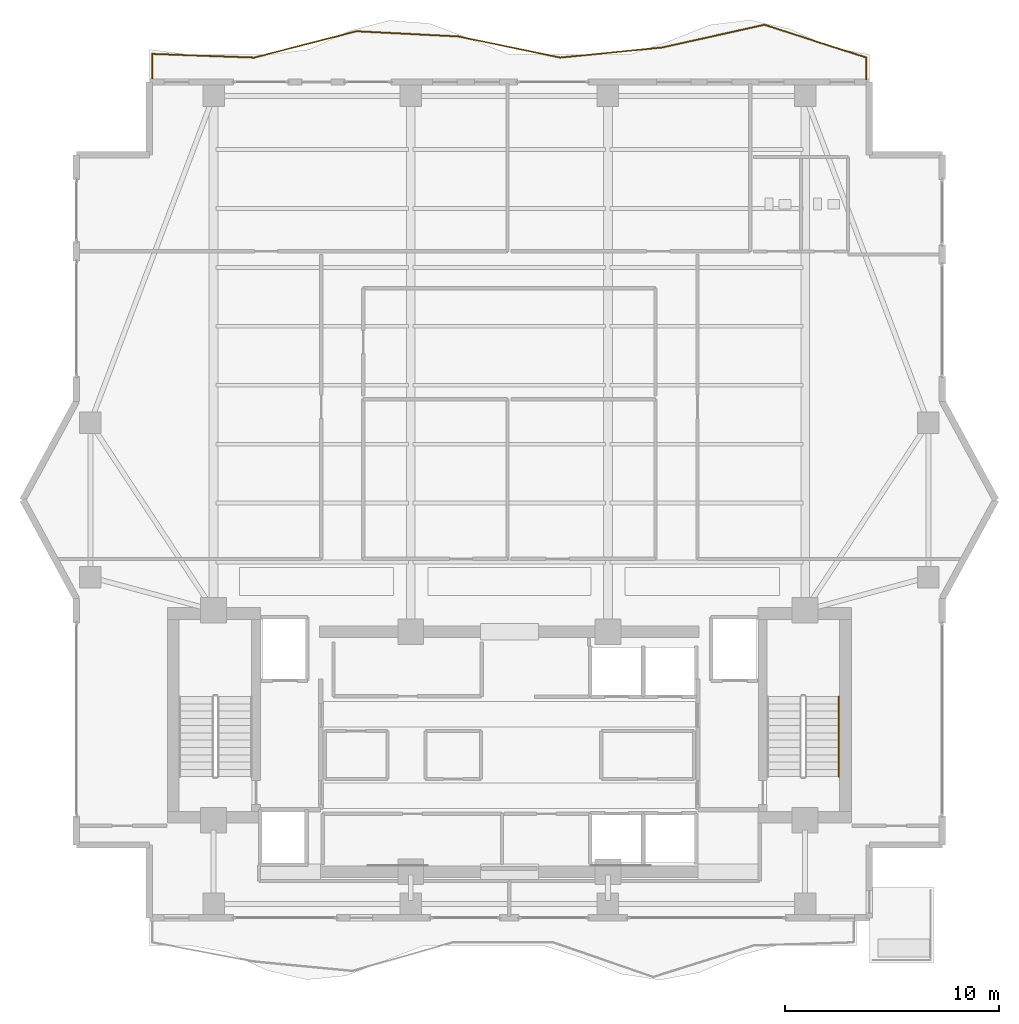
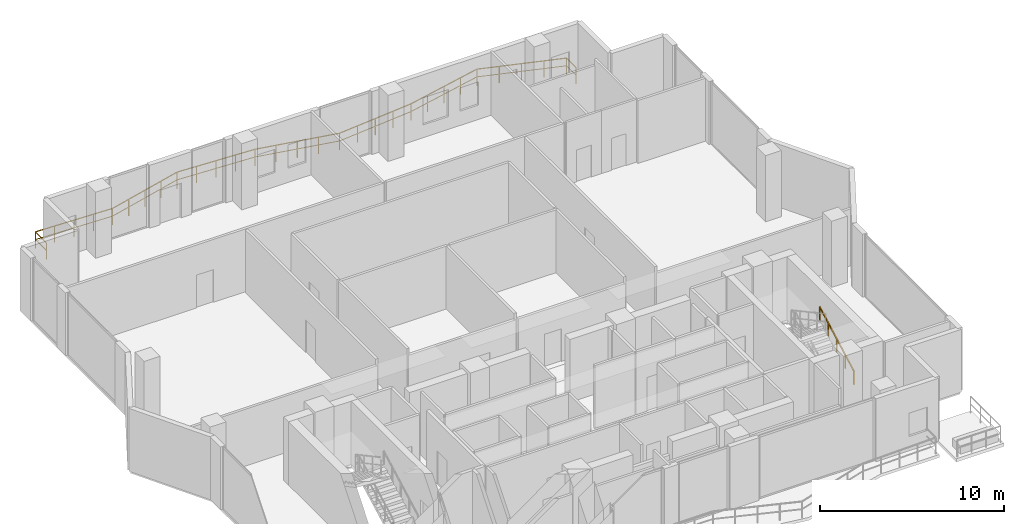
# One storey, part 22 of 23: 2 railings.
"""IFC4 building model written with IfcOpenShell, lengths in metres."""

from ifc_helpers import new_model, si_unit, direction, frame, origin, origin_2d, place, context, subcontext, project, spatial, rectangle, extrude, material, type_object, element, save


model = new_model("IFC4")

# Units and contexts
model_context = context("Model", 3, precision=1e-05, world=origin(), true_north=direction((0.0, 1.0)))
body_context = subcontext(model_context, "Body", "Model", "MODEL_VIEW")
ifc_project = project(units=[si_unit("LENGTHUNIT", "METRE"), si_unit("AREAUNIT", "SQUARE_METRE"), si_unit("VOLUMEUNIT", "CUBIC_METRE"), si_unit("PLANEANGLEUNIT", "RADIAN"), si_unit("MASSUNIT", "GRAM", prefix="KILO")], contexts=[model_context])

# Site, building, storey
site_placement = place(None, origin())
site = spatial("IfcSite", under=ifc_project, at=site_placement, CompositionType="ELEMENT")
building_placement = place(site_placement, origin())
building = spatial("IfcBuilding", under=site, at=building_placement, Name="Zuhayl Quay Hotel", CompositionType="ELEMENT")
storey_placement = place(building_placement, frame((0.0, 0.0, 288.449951171875)))
storey = spatial("IfcBuildingStorey", under=building, at=storey_placement, Name="L73", CompositionType="ELEMENT", Elevation=288.449951171875)

# Railings
ifc_material_1 = material(Name="Anodised Aluminium and Laminated Glass", Category="aluminium")
railing_type_1 = type_object("IfcRailingType", Name="RL_EXT_BAL_1100", PredefinedType="BALUSTRADE", material=ifc_material_1)
railing_1_placement = place(storey_placement, frame((-16.659912109375, 39.1201171875, 0.0)))
element("IfcRailing", 1, at=railing_1_placement, inside=storey, type_object=railing_type_1, Name="L73 Balcony and Terrace Guard GR_L73_BAL_N", PredefinedType="BALUSTRADE", context=body_context, shape_type="SweptSolid", body=[
    extrude(rectangle(XDim=0.048095703125, YDim=0.048095703125, at=origin_2d()), frame((0.0, 0.0, 1.09619140625), z_axis=(0.0, 1.0, 0.0), x_axis=(-1.0, 0.0, 0.0)), (0.0, 0.0, 1.0), 1.191162109375),
    extrude(rectangle(XDim=0.0361328125, YDim=0.0361328125, at=origin_2d()), frame((0.0, 0.0, 0.58251953125), z_axis=(0.0, 1.0, 0.0), x_axis=(-1.0, 0.0, 0.0)), (0.0, 0.0, 1.0), 1.191162109375),
    extrude(rectangle(XDim=0.048095703125, YDim=0.048095703125, at=origin_2d()), frame((0.0, 1.191162109375, 1.09619140625), z_axis=(0.999352430133, -0.035982223211, 0.0), x_axis=(0.035982223211, 0.999352430133, 0.0)), (0.0, 0.0, 1.0), 4.76318359375),
    extrude(rectangle(XDim=0.0361328125, YDim=0.0361328125, at=origin_2d()), frame((0.0, 1.191162109375, 0.58251953125), z_axis=(0.999352430133, -0.035982223211, 0.0), x_axis=(0.035982223211, 0.999352430133, 0.0)), (0.0, 0.0, 1.0), 4.76318359375),
    extrude(rectangle(XDim=0.048095703125, YDim=0.048095703125, at=origin_2d()), frame((4.760009765625, 1.019775390625, 1.09619140625), z_axis=(0.968283137674, 0.249855488826, 0.0), x_axis=(-0.249855488826, 0.968283137674, 0.0)), (0.0, 0.0, 1.0), 4.916015625),
    extrude(rectangle(XDim=0.0361328125, YDim=0.0361328125, at=origin_2d()), frame((4.760009765625, 1.019775390625, 0.58251953125), z_axis=(0.968283137674, 0.249855488826, 0.0), x_axis=(-0.249855488826, 0.968283137674, 0.0)), (0.0, 0.0, 1.0), 4.916015625),
    extrude(rectangle(XDim=0.048095703125, YDim=0.048095703125, at=origin_2d()), frame((9.52001953125, 2.248046875, 1.09619140625), z_axis=(0.998713333504, -0.050711709502, 0.0), x_axis=(0.050711709502, 0.998713333504, 0.0)), (0.0, 0.0, 1.0), 4.76611328125),
    extrude(rectangle(XDim=0.0361328125, YDim=0.0361328125, at=origin_2d()), frame((9.52001953125, 2.248046875, 0.58251953125), z_axis=(0.998713333504, -0.050711709502, 0.0), x_axis=(0.050711709502, 0.998713333504, 0.0)), (0.0, 0.0, 1.0), 4.76611328125),
    extrude(rectangle(XDim=0.048095703125, YDim=0.048095703125, at=origin_2d()), frame((14.280029296875, 2.00634765625, 1.09619140625), z_axis=(0.979187165661, -0.202959342246, 0.0), x_axis=(0.202959342246, 0.979187165661, 0.0)), (0.0, 0.0, 1.0), 4.86083984375),
    extrude(rectangle(XDim=0.0361328125, YDim=0.0361328125, at=origin_2d()), frame((14.280029296875, 2.00634765625, 0.58251953125), z_axis=(0.979187165661, -0.202959342246, 0.0), x_axis=(0.202959342246, 0.979187165661, 0.0)), (0.0, 0.0, 1.0), 4.86083984375),
    extrude(rectangle(XDim=0.048095703125, YDim=0.048095703125, at=origin_2d()), frame((19.039794921875, 1.019775390625, 1.09619140625), z_axis=(0.995131241685, 0.098558671985, 0.0), x_axis=(-0.098558671985, 0.995131241685, 0.0)), (0.0, 0.0, 1.0), 4.783203125),
    extrude(rectangle(XDim=0.0361328125, YDim=0.0361328125, at=origin_2d()), frame((19.039794921875, 1.019775390625, 0.58251953125), z_axis=(0.995131241685, 0.098558671985, 0.0), x_axis=(-0.098558671985, 0.995131241685, 0.0)), (0.0, 0.0, 1.0), 4.783203125),
    extrude(rectangle(XDim=0.048095703125, YDim=0.048095703125, at=origin_2d()), frame((23.7998046875, 1.4912109375, 1.09619140625), z_axis=(0.97610925013, 0.217280306999, 0.0), x_axis=(-0.217280306999, 0.97610925013, 0.0)), (0.0, 0.0, 1.0), 4.87646484375),
    extrude(rectangle(XDim=0.0361328125, YDim=0.0361328125, at=origin_2d()), frame((23.7998046875, 1.4912109375, 0.58251953125), z_axis=(0.97610925013, 0.217280306999, 0.0), x_axis=(-0.217280306999, 0.97610925013, 0.0)), (0.0, 0.0, 1.0), 4.87646484375),
    extrude(rectangle(XDim=0.048095703125, YDim=0.048095703125, at=origin_2d()), frame((28.559814453125, 2.55078125, 1.09619140625), z_axis=(0.951970121484, -0.306190933571, 0.0), x_axis=(0.306190933571, 0.951970121484, 0.0)), (0.0, 0.0, 1.0), 5.000244140625),
    extrude(rectangle(XDim=0.0361328125, YDim=0.0361328125, at=origin_2d()), frame((28.559814453125, 2.55078125, 0.58251953125), z_axis=(0.951970121484, -0.306190933571, 0.0), x_axis=(0.306190933571, 0.951970121484, 0.0)), (0.0, 0.0, 1.0), 5.000244140625),
    extrude(rectangle(XDim=0.048095703125, YDim=0.048095703125, at=origin_2d()), frame((33.31982421875, 1.019775390625, 1.09619140625), z_axis=(0.0, -1.0, 0.0), x_axis=(1.0, 0.0, 0.0)), (0.0, 0.0, 1.0), 1.019775390625),
    extrude(rectangle(XDim=0.0361328125, YDim=0.0361328125, at=origin_2d()), frame((33.31982421875, 1.019775390625, 0.58251953125), z_axis=(0.0, -1.0, 0.0), x_axis=(1.0, 0.0, 0.0)), (0.0, 0.0, 1.0), 1.019775390625),
    extrude(rectangle(XDim=0.0419921875, YDim=0.0419921875, at=origin_2d()), origin(), (0.0, 0.0, 1.0), 1.072021484375),
    extrude(rectangle(XDim=0.0419921875, YDim=0.0419921875, at=origin_2d()), frame((0.0, 1.191162109375, 0.0)), (0.0, 0.0, 1.0), 1.072021484375),
    extrude(rectangle(XDim=0.0419921875, YDim=0.0419921875, at=origin_2d()), frame((1.18994140625, 1.1484375, 0.0)), (0.0, 0.0, 1.0), 1.072021484375),
    extrude(rectangle(XDim=0.0419921875, YDim=0.0419921875, at=origin_2d()), frame((2.3798828125, 1.10546875, 0.0)), (0.0, 0.0, 1.0), 1.072021484375),
    extrude(rectangle(XDim=0.0419921875, YDim=0.0419921875, at=origin_2d()), frame((3.570068359375, 1.0625, 0.0)), (0.0, 0.0, 1.0), 1.072021484375),
    extrude(rectangle(XDim=0.0419921875, YDim=0.0419921875, at=origin_2d()), frame((4.760009765625, 1.019775390625, 0.0)), (0.0, 0.0, 1.0), 1.072021484375),
    extrude(rectangle(XDim=0.0419921875, YDim=0.0419921875, at=origin_2d()), frame((5.949951171875, 1.326904296875, 0.0)), (0.0, 0.0, 1.0), 1.072021484375),
    extrude(rectangle(XDim=0.0419921875, YDim=0.0419921875, at=origin_2d()), frame((7.14013671875, 1.6337890625, 0.0)), (0.0, 0.0, 1.0), 1.072021484375),
    extrude(rectangle(XDim=0.0419921875, YDim=0.0419921875, at=origin_2d()), frame((8.330078125, 1.94091796875, 0.0)), (0.0, 0.0, 1.0), 1.072021484375),
    extrude(rectangle(XDim=0.0419921875, YDim=0.0419921875, at=origin_2d()), frame((9.52001953125, 2.248046875, 0.0)), (0.0, 0.0, 1.0), 1.072021484375),
    extrude(rectangle(XDim=0.0419921875, YDim=0.0419921875, at=origin_2d()), frame((10.7099609375, 2.1875, 0.0)), (0.0, 0.0, 1.0), 1.072021484375),
    extrude(rectangle(XDim=0.0419921875, YDim=0.0419921875, at=origin_2d()), frame((11.89990234375, 2.127197265625, 0.0)), (0.0, 0.0, 1.0), 1.072021484375),
    extrude(rectangle(XDim=0.0419921875, YDim=0.0419921875, at=origin_2d()), frame((13.090087890625, 2.06689453125, 0.0)), (0.0, 0.0, 1.0), 1.072021484375),
    extrude(rectangle(XDim=0.0419921875, YDim=0.0419921875, at=origin_2d()), frame((14.280029296875, 2.00634765625, 0.0)), (0.0, 0.0, 1.0), 1.072021484375),
    extrude(rectangle(XDim=0.0419921875, YDim=0.0419921875, at=origin_2d()), frame((15.469970703125, 1.759765625, 0.0)), (0.0, 0.0, 1.0), 1.072021484375),
    extrude(rectangle(XDim=0.0419921875, YDim=0.0419921875, at=origin_2d()), frame((16.659912109375, 1.51318359375, 0.0)), (0.0, 0.0, 1.0), 1.072021484375),
    extrude(rectangle(XDim=0.0419921875, YDim=0.0419921875, at=origin_2d()), frame((17.849853515625, 1.266357421875, 0.0)), (0.0, 0.0, 1.0), 1.072021484375),
    extrude(rectangle(XDim=0.0419921875, YDim=0.0419921875, at=origin_2d()), frame((19.039794921875, 1.019775390625, 0.0)), (0.0, 0.0, 1.0), 1.072021484375),
    extrude(rectangle(XDim=0.0419921875, YDim=0.0419921875, at=origin_2d()), frame((20.229736328125, 1.1376953125, 0.0)), (0.0, 0.0, 1.0), 1.072021484375),
    extrude(rectangle(XDim=0.0419921875, YDim=0.0419921875, at=origin_2d()), frame((21.419921875, 1.25537109375, 0.0)), (0.0, 0.0, 1.0), 1.072021484375),
    extrude(rectangle(XDim=0.0419921875, YDim=0.0419921875, at=origin_2d()), frame((22.60986328125, 1.373291015625, 0.0)), (0.0, 0.0, 1.0), 1.072021484375),
    extrude(rectangle(XDim=0.0419921875, YDim=0.0419921875, at=origin_2d()), frame((23.7998046875, 1.4912109375, 0.0)), (0.0, 0.0, 1.0), 1.072021484375),
    extrude(rectangle(XDim=0.0419921875, YDim=0.0419921875, at=origin_2d()), frame((24.98974609375, 1.756103515625, 0.0)), (0.0, 0.0, 1.0), 1.072021484375),
    extrude(rectangle(XDim=0.0419921875, YDim=0.0419921875, at=origin_2d()), frame((26.1796875, 2.02099609375, 0.0)), (0.0, 0.0, 1.0), 1.072021484375),
    extrude(rectangle(XDim=0.0419921875, YDim=0.0419921875, at=origin_2d()), frame((27.369873046875, 2.285888671875, 0.0)), (0.0, 0.0, 1.0), 1.072021484375),
    extrude(rectangle(XDim=0.0419921875, YDim=0.0419921875, at=origin_2d()), frame((28.559814453125, 2.55078125, 0.0)), (0.0, 0.0, 1.0), 1.072021484375),
    extrude(rectangle(XDim=0.0419921875, YDim=0.0419921875, at=origin_2d()), frame((29.749755859375, 2.16796875, 0.0)), (0.0, 0.0, 1.0), 1.072021484375),
    extrude(rectangle(XDim=0.0419921875, YDim=0.0419921875, at=origin_2d()), frame((30.93994140625, 1.78515625, 0.0)), (0.0, 0.0, 1.0), 1.072021484375),
    extrude(rectangle(XDim=0.0419921875, YDim=0.0419921875, at=origin_2d()), frame((32.1298828125, 1.402587890625, 0.0)), (0.0, 0.0, 1.0), 1.072021484375),
    extrude(rectangle(XDim=0.0419921875, YDim=0.0419921875, at=origin_2d()), frame((33.31982421875, 1.019775390625, 0.0)), (0.0, 0.0, 1.0), 1.072021484375),
    extrude(rectangle(XDim=0.0419921875, YDim=0.0419921875, at=origin_2d()), frame((33.31982421875, 0.0, 0.0)), (0.0, 0.0, 1.0), 1.072021484375),
])
ifc_material_2 = material(Name="Steel ASTM A992 Grade 50", Category="steel")
railing_type_2 = type_object("IfcRailingType", Name="RL_HANDRAIL_920", PredefinedType="HANDRAIL", material=ifc_material_2)
railing_2_placement = place(storey_placement, frame((15.3798828125, 6.590087890625, 0.183349609375)))
element("IfcRailing", 2, at=railing_2_placement, inside=storey, type_object=railing_type_2, Name="L73 ST2 stair handrail 1", PredefinedType="HANDRAIL", context=body_context, shape_type="SweptSolid", body=[
    extrude(rectangle(XDim=0.048095703125, YDim=0.048095703125, at=origin_2d()), frame((0.0, 0.0, 0.8759765625), z_axis=(0.0, 0.880199743355, 0.474603425818), x_axis=(-1.0, 0.0, 0.0)), (0.0, 0.0, 1.0), 4.2490234375),
    extrude(rectangle(XDim=0.0419921875, YDim=0.0419921875, at=origin_2d()), origin(), (0.0, 0.0, 1.0), 0.851806640625),
    extrude(rectangle(XDim=0.0419921875, YDim=0.0419921875, at=origin_2d()), frame((0.0, 0.93505859375, 0.504150390625)), (0.0, 0.0, 1.0), 0.851806640625),
    extrude(rectangle(XDim=0.0419921875, YDim=0.0419921875, at=origin_2d()), frame((0.0, 1.8701171875, 1.00830078125)), (0.0, 0.0, 1.0), 0.851806640625),
    extrude(rectangle(XDim=0.0419921875, YDim=0.0419921875, at=origin_2d()), frame((0.0, 2.804931640625, 1.512451171875)), (0.0, 0.0, 1.0), 0.851806640625),
    extrude(rectangle(XDim=0.0419921875, YDim=0.0419921875, at=origin_2d()), frame((0.0, 3.739990234375, 2.0166015625)), (0.0, 0.0, 1.0), 0.851806640625),
])

save(model, "model.ifc")
